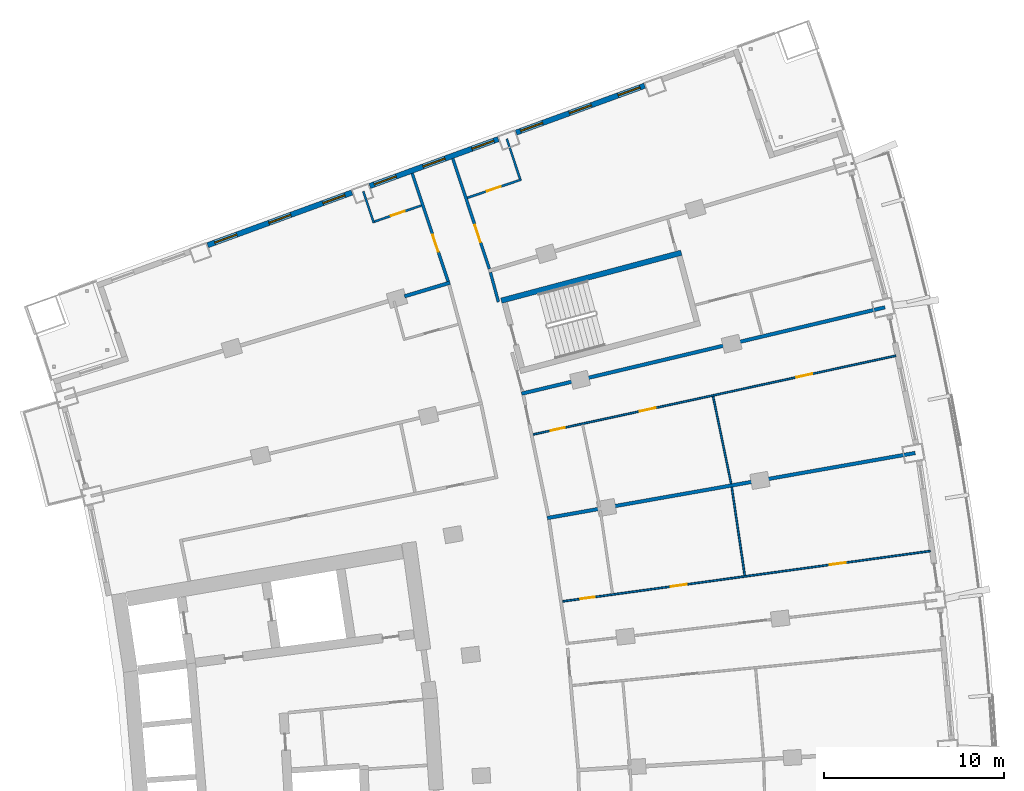
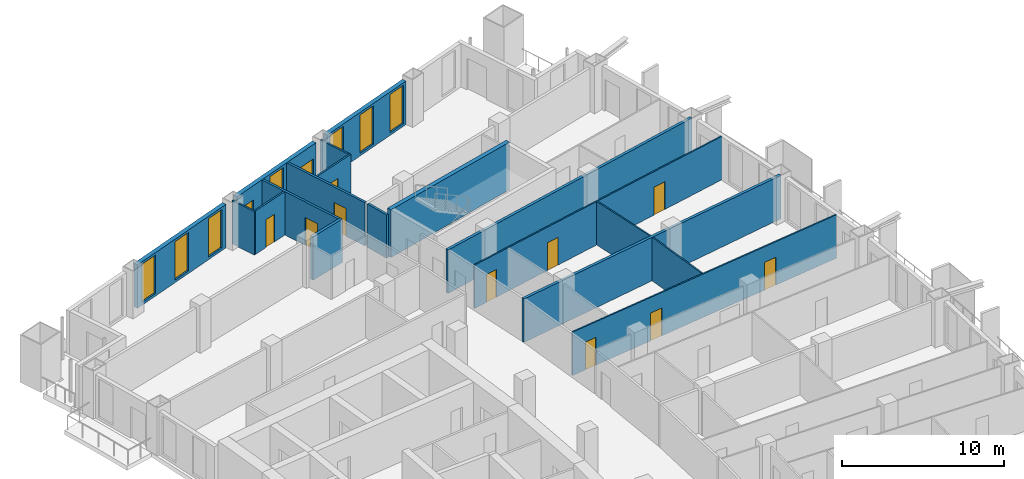
# One storey, part 20 of 25: 18 walls, 10 doors, 9 windows, 19 openings.
"""IFC4 building model written with IfcOpenShell, lengths in metres."""

from ifc_helpers import new_model, si_unit, direction, frame, frame_2d, origin, place, context, subcontext, project, spatial, rectangle, extrude, material, layer, layer_set, type_object, element, fill, save


model = new_model("IFC4")

# Units and contexts
model_context = context("Model", 3, precision=1e-05, world=origin(), true_north=direction((0.0, 1.0)))
body_context = subcontext(model_context, "Body", "Model", "MODEL_VIEW")
ifc_project = project(units=[si_unit("LENGTHUNIT", "METRE"), si_unit("AREAUNIT", "SQUARE_METRE"), si_unit("VOLUMEUNIT", "CUBIC_METRE"), si_unit("PLANEANGLEUNIT", "RADIAN"), si_unit("MASSUNIT", "GRAM", prefix="KILO")], contexts=[model_context])

# Site, building, storey
site_placement = place(None, origin())
site = spatial("IfcSite", under=ifc_project, at=site_placement, CompositionType="ELEMENT")
building_placement = place(site_placement, origin())
building = spatial("IfcBuilding", under=site, at=building_placement, Name="Alderwake Tower", CompositionType="ELEMENT")
storey_placement = place(building_placement, frame((0.0, 0.0, 86.0)))
storey = spatial("IfcBuildingStorey", under=building, at=storey_placement, Name="L20", CompositionType="ELEMENT", Elevation=86.0)

# Wall
ifc_material_1 = material(Name="Concrete C70/85", Category="concrete")
ifc_layer_1 = layer(ifc_material_1, 0.300048828125)
ifc_layer_set_1 = layer_set([ifc_layer_1], Name="Core wall stair enclosure 300 C70-85")
wall_type_1 = type_object("IfcWallType", Name="Core wall stair enclosure 300 C70-85", PredefinedType="SHEAR", material=ifc_layer_set_1)
wall_1_placement = place(storey_placement, frame((36.71142578125, 94.182373046875, 0.0), z_axis=(0.0, 0.0, 1.0), x_axis=(0.966309214305, 0.257383958996, 0.0)))
element("IfcWall", 1, at=wall_1_placement, inside=storey, type_object=wall_type_1, Name="Core wall CW.082", PredefinedType="SHEAR", context=body_context, shape_type="SweptSolid", body=[
    extrude(rectangle(XDim=10.360107421875, YDim=0.300048828125, at=frame_2d((5.18017578125, 0.0))), origin(), (0.0, 0.0, 1.0), 3.60009765625),
])

# Wall, opening, door
ifc_material_2 = material(Name="Gypsum board on metal studs, rated")
ifc_layer_2 = layer(ifc_material_2, 0.159912109375)
ifc_layer_set_2 = layer_set([ifc_layer_2], Name="Corridor wall 160")
wall_type_2 = type_object("IfcWallType", Name="Corridor wall 160", PredefinedType="PARTITIONING", material=ifc_layer_set_2)
wall_2_placement = place(storey_placement, frame((33.75146484375, 95.2548828125, 0.0), z_axis=(0.0, 0.0, 1.0), x_axis=(-0.315406156735, 0.948956772616, 0.0)))
wall_2 = element("IfcWall", 2, at=wall_2_placement, inside=storey, type_object=wall_type_2, Name="WL/L20/W20", PredefinedType="PARTITIONING", context=body_context, shape_type="SweptSolid", body=[
    extrude(rectangle(XDim=6.330078125, YDim=0.159912109375, at=frame_2d((3.1650390625, 0.0))), origin(), (0.0, 0.0, 1.0), 3.280029296875),
])
opening_1_placement = place(wall_2_placement, frame((1.737060546875, 0.0, 0.0)))
opening_1 = element("IfcOpeningElement", 3, at=opening_1_placement, cuts=wall_2, Name="Opening R05-U12.1", PredefinedType="OPENING", context=body_context, shape_type="SweptSolid", body=[
    extrude(rectangle(XDim=1.0, YDim=2.10009765625, at=frame_2d((0.5, 1.050048828125))), frame((0.0, 0.08984375, 0.0), z_axis=(0.0, -1.0, 0.0), x_axis=(1.0, 0.0, 0.0)), (0.0, 0.0, 1.0), 0.179931640625),
])
ifc_material_3 = material(Name="Solid timber leaf in steel frame", Category="steel")
door_type_1 = type_object("IfcDoorType", Name="Flat entrance door 1000 fire-rated", OperationType="SINGLE_SWING_LEFT", PredefinedType="DOOR", material=ifc_material_3)
door_1_placement = place(opening_1_placement, origin())
door_1 = element("IfcDoor", 4, at=door_1_placement, inside=storey, type_object=door_type_1, Name="DR/L20/U12.1", OperationType="SINGLE_SWING_LEFT", OverallHeight=2.10009765625, OverallWidth=1.0, PredefinedType="DOOR", context=body_context, shape_type="SweptSolid", body=[
    extrude(rectangle(XDim=1.0, YDim=2.10009765625, at=frame_2d((0.5, 1.050048828125))), frame((0.0, 0.02490234375, 0.0), z_axis=(0.0, -1.0, 0.0), x_axis=(1.0, 0.0, 0.0)), (0.0, 0.0, 1.0), 0.050048828125),
])
fill(opening_1, door_1)

wall_3_placement = place(storey_placement, frame((34.010986328125, 102.083984375, 0.0), z_axis=(0.0, 0.0, 1.0), x_axis=(0.315140606423, -0.949044992708, 0.0)))
wall_3 = element("IfcWall", 5, at=wall_3_placement, inside=storey, type_object=wall_type_2, Name="WL/L20/W27", PredefinedType="PARTITIONING", context=body_context, shape_type="SweptSolid", body=[
    extrude(rectangle(XDim=6.46875, YDim=0.159912109375, at=frame_2d((3.234375, 0.0))), origin(), (0.0, 0.0, 1.0), 3.280029296875),
])
opening_2_placement = place(wall_3_placement, frame((3.897705078125, 0.0, 0.0)))
opening_2 = element("IfcOpeningElement", 6, at=opening_2_placement, cuts=wall_3, Name="Opening R05-U04.1", PredefinedType="OPENING", context=body_context, shape_type="SweptSolid", body=[
    extrude(rectangle(XDim=1.0, YDim=2.10009765625, at=frame_2d((0.5, 1.050048828125))), frame((0.0, 0.08984375, 0.0), z_axis=(0.0, -1.0, 0.0), x_axis=(1.0, 0.0, 0.0)), (0.0, 0.0, 1.0), 0.179931640625),
])
door_2_placement = place(opening_2_placement, origin())
door_2 = element("IfcDoor", 7, at=door_2_placement, inside=storey, type_object=door_type_1, Name="DR/L20/U04.1", OperationType="SINGLE_SWING_LEFT", OverallHeight=2.10009765625, OverallWidth=1.0, PredefinedType="DOOR", context=body_context, shape_type="SweptSolid", body=[
    extrude(rectangle(XDim=1.0, YDim=2.10009765625, at=frame_2d((0.5, 1.050048828125))), frame((0.0, 0.02490234375, 0.0), z_axis=(0.0, -1.0, 0.0), x_axis=(1.0, 0.0, 0.0)), (0.0, 0.0, 1.0), 0.050048828125),
])
fill(opening_2, door_2)

# Wall
wall_4_placement = place(storey_placement, frame((36.549072265625, 94.110107421875, 0.0), z_axis=(0.0, 0.0, 1.0), x_axis=(-0.259813977097, 0.965658685719, 0.0)))
element("IfcWall", 8, at=wall_4_placement, inside=storey, type_object=wall_type_2, Name="WL/L20/W30", PredefinedType="PARTITIONING", context=body_context, shape_type="SweptSolid", body=[
    extrude(rectangle(XDim=1.70166015625, YDim=0.159912109375, at=frame_2d((0.850830078125, 0.0))), origin(), (0.0, 0.0, 1.0), 3.280029296875),
])

# Wall, openings, windows
ifc_material_4 = material(Name="Bronze metal cladding on lightweight framing")
ifc_layer_3 = layer(ifc_material_4, 0.300048828125)
ifc_layer_set_3 = layer_set([ifc_layer_3], Name="External wall EW2 bronze metal cladding")
wall_type_3 = type_object("IfcWallType", Name="External wall EW2 bronze metal cladding", PredefinedType="SOLIDWALL", material=ifc_layer_set_3)
wall_5_placement = place(storey_placement, frame((44.685546875, 106.14111328125, 0.0), z_axis=(0.0, 0.0, 1.0), x_axis=(-0.939373225656, -0.342896402606, 0.0)))
wall_5 = element("IfcWall", 9, at=wall_5_placement, inside=storey, type_object=wall_type_3, Name="External wall 26", PredefinedType="SOLIDWALL", context=body_context, shape_type="SweptSolid", body=[
    extrude(rectangle(XDim=7.612548828125, YDim=0.300048828125, at=frame_2d((3.80615234375, 0.0))), origin(), (0.0, 0.0, 1.0), 3.280029296875),
])
opening_3_placement = place(wall_5_placement, frame((0.267578125, 0.0, 0.199951171875)))
opening_3 = element("IfcOpeningElement", 10, at=opening_3_placement, cuts=wall_5, Name="Opening W1", PredefinedType="OPENING", context=body_context, shape_type="SweptSolid", body=[
    extrude(rectangle(XDim=1.300048828125, YDim=2.89990234375, at=frame_2d((0.64990234375, 1.449951171875))), frame((0.0, 0.159912109375, 0.0), z_axis=(0.0, -1.0, 0.0), x_axis=(1.0, 0.0, 0.0)), (0.0, 0.0, 1.0), 0.320068359375),
])
opening_4_placement = place(wall_5_placement, frame((3.156494140625, 0.0, 0.199951171875)))
opening_4 = element("IfcOpeningElement", 11, at=opening_4_placement, cuts=wall_5, Name="Opening W1", PredefinedType="OPENING", context=body_context, shape_type="SweptSolid", body=[
    extrude(rectangle(XDim=1.300048828125, YDim=2.89990234375, at=frame_2d((0.64990234375, 1.449951171875))), frame((0.0, 0.159912109375, 0.0), z_axis=(0.0, -1.0, 0.0), x_axis=(1.0, 0.0, 0.0)), (0.0, 0.0, 1.0), 0.320068359375),
])
opening_5_placement = place(wall_5_placement, frame((6.04541015625, 0.0, 0.199951171875)))
opening_5 = element("IfcOpeningElement", 12, at=opening_5_placement, cuts=wall_5, Name="Opening W1", PredefinedType="OPENING", context=body_context, shape_type="SweptSolid", body=[
    extrude(rectangle(XDim=1.300048828125, YDim=2.89990234375, at=frame_2d((0.64990234375, 1.449951171875))), frame((0.0, 0.159912109375, 0.0), z_axis=(0.0, -1.0, 0.0), x_axis=(1.0, 0.0, 0.0)), (0.0, 0.0, 1.0), 0.320068359375),
])
ifc_material_5 = material(Name="Bronze tinted glass in aluminium frame", Category="aluminium")
window_type_1 = type_object("IfcWindowType", Name="Window W1 tall fixed and vent", PartitioningType="DOUBLE_PANEL_VERTICAL", PredefinedType="WINDOW", material=ifc_material_5)
window_1_placement = place(opening_3_placement, origin())
window_1 = element("IfcWindow", 13, at=window_1_placement, inside=storey, type_object=window_type_1, Name="Window W1 tall fixed and vent", OverallHeight=2.89990234375, OverallWidth=1.300048828125, PartitioningType="DOUBLE_PANEL_VERTICAL", PredefinedType="WINDOW", context=body_context, shape_type="SweptSolid", body=[
    extrude(rectangle(XDim=1.300048828125, YDim=2.89990234375, at=frame_2d((0.64990234375, 1.449951171875))), frame((0.0, 0.030029296875, 0.0), z_axis=(0.0, -1.0, 0.0), x_axis=(1.0, 0.0, 0.0)), (0.0, 0.0, 1.0), 0.06005859375),
])
fill(opening_3, window_1)
window_2_placement = place(opening_4_placement, origin())
window_2 = element("IfcWindow", 14, at=window_2_placement, inside=storey, type_object=window_type_1, Name="Window W1 tall fixed and vent", OverallHeight=2.89990234375, OverallWidth=1.300048828125, PartitioningType="DOUBLE_PANEL_VERTICAL", PredefinedType="WINDOW", context=body_context, shape_type="SweptSolid", body=[
    extrude(rectangle(XDim=1.300048828125, YDim=2.89990234375, at=frame_2d((0.64990234375, 1.449951171875))), frame((0.0, 0.030029296875, 0.0), z_axis=(0.0, -1.0, 0.0), x_axis=(1.0, 0.0, 0.0)), (0.0, 0.0, 1.0), 0.06005859375),
])
fill(opening_4, window_2)
window_3_placement = place(opening_5_placement, origin())
window_3 = element("IfcWindow", 15, at=window_3_placement, inside=storey, type_object=window_type_1, Name="Window W1 tall fixed and vent", OverallHeight=2.89990234375, OverallWidth=1.300048828125, PartitioningType="DOUBLE_PANEL_VERTICAL", PredefinedType="WINDOW", context=body_context, shape_type="SweptSolid", body=[
    extrude(rectangle(XDim=1.300048828125, YDim=2.89990234375, at=frame_2d((0.64990234375, 1.449951171875))), frame((0.0, 0.030029296875, 0.0), z_axis=(0.0, -1.0, 0.0), x_axis=(1.0, 0.0, 0.0)), (0.0, 0.0, 1.0), 0.06005859375),
])
fill(opening_5, window_3)

wall_6_placement = place(storey_placement, frame((36.544189453125, 103.169189453125, 0.0), z_axis=(0.0, 0.0, 1.0), x_axis=(-0.939383555457, -0.342868102536, 0.0)))
wall_6 = element("IfcWall", 16, at=wall_6_placement, inside=storey, type_object=wall_type_3, Name="External wall 27", PredefinedType="SOLIDWALL", context=body_context, shape_type="SweptSolid", body=[
    extrude(rectangle(XDim=7.612548828125, YDim=0.300048828125, at=frame_2d((3.80615234375, 0.0))), origin(), (0.0, 0.0, 1.0), 3.280029296875),
])
opening_6_placement = place(wall_6_placement, frame((0.267333984375, 0.0, 1.0)))
opening_6 = element("IfcOpeningElement", 17, at=opening_6_placement, cuts=wall_6, Name="Opening W2", PredefinedType="OPENING", context=body_context, shape_type="SweptSolid", body=[
    extrude(rectangle(XDim=1.300048828125, YDim=1.199951171875, at=frame_2d((0.64990234375, 0.60009765625))), frame((0.0, 0.159912109375, 0.0), z_axis=(0.0, -1.0, 0.0), x_axis=(1.0, 0.0, 0.0)), (0.0, 0.0, 1.0), 0.320068359375),
])
opening_7_placement = place(wall_6_placement, frame((3.156494140625, 0.0, 0.199951171875)))
opening_7 = element("IfcOpeningElement", 18, at=opening_7_placement, cuts=wall_6, Name="Opening W1", PredefinedType="OPENING", context=body_context, shape_type="SweptSolid", body=[
    extrude(rectangle(XDim=1.300048828125, YDim=2.89990234375, at=frame_2d((0.64990234375, 1.449951171875))), frame((0.0, 0.159912109375, 0.0), z_axis=(0.0, -1.0, 0.0), x_axis=(1.0, 0.0, 0.0)), (0.0, 0.0, 1.0), 0.320068359375),
])
opening_8_placement = place(wall_6_placement, frame((6.04541015625, 0.0, 1.0)))
opening_8 = element("IfcOpeningElement", 19, at=opening_8_placement, cuts=wall_6, Name="Opening W2", PredefinedType="OPENING", context=body_context, shape_type="SweptSolid", body=[
    extrude(rectangle(XDim=1.300048828125, YDim=1.199951171875, at=frame_2d((0.64990234375, 0.60009765625))), frame((0.0, 0.159912109375, 0.0), z_axis=(0.0, -1.0, 0.0), x_axis=(1.0, 0.0, 0.0)), (0.0, 0.0, 1.0), 0.320068359375),
])
window_4_placement = place(opening_7_placement, origin())
window_4 = element("IfcWindow", 20, at=window_4_placement, inside=storey, type_object=window_type_1, Name="Window W1 tall fixed and vent", OverallHeight=2.89990234375, OverallWidth=1.300048828125, PartitioningType="DOUBLE_PANEL_VERTICAL", PredefinedType="WINDOW", context=body_context, shape_type="SweptSolid", body=[
    extrude(rectangle(XDim=1.300048828125, YDim=2.89990234375, at=frame_2d((0.64990234375, 1.449951171875))), frame((0.0, 0.030029296875, 0.0), z_axis=(0.0, -1.0, 0.0), x_axis=(1.0, 0.0, 0.0)), (0.0, 0.0, 1.0), 0.06005859375),
])
fill(opening_7, window_4)
ifc_material_6 = material(Name="Bronze tinted glass in aluminium frame", Category="aluminium")
window_type_2 = type_object("IfcWindowType", Name="Window W2 kitchen and bath", PartitioningType="SINGLE_PANEL", PredefinedType="WINDOW", material=ifc_material_6)
window_5_placement = place(opening_6_placement, origin())
window_5 = element("IfcWindow", 21, at=window_5_placement, inside=storey, type_object=window_type_2, Name="Window W2 kitchen and bath", OverallHeight=1.199951171875, OverallWidth=1.300048828125, PartitioningType="SINGLE_PANEL", PredefinedType="WINDOW", context=body_context, shape_type="SweptSolid", body=[
    extrude(rectangle(XDim=1.300048828125, YDim=1.199951171875, at=frame_2d((0.64990234375, 0.60009765625))), frame((0.0, 0.030029296875, 0.0), z_axis=(0.0, -1.0, 0.0), x_axis=(1.0, 0.0, 0.0)), (0.0, 0.0, 1.0), 0.06005859375),
])
fill(opening_6, window_5)
window_6_placement = place(opening_8_placement, origin())
window_6 = element("IfcWindow", 22, at=window_6_placement, inside=storey, type_object=window_type_2, Name="Window W2 kitchen and bath", OverallHeight=1.199951171875, OverallWidth=1.300048828125, PartitioningType="SINGLE_PANEL", PredefinedType="WINDOW", context=body_context, shape_type="SweptSolid", body=[
    extrude(rectangle(XDim=1.300048828125, YDim=1.199951171875, at=frame_2d((0.64990234375, 0.60009765625))), frame((0.0, 0.030029296875, 0.0), z_axis=(0.0, -1.0, 0.0), x_axis=(1.0, 0.0, 0.0)), (0.0, 0.0, 1.0), 0.06005859375),
])
fill(opening_8, window_6)

wall_7_placement = place(storey_placement, frame((28.402587890625, 100.197509765625, 0.0), z_axis=(0.0, 0.0, 1.0), x_axis=(-0.939364770023, -0.342919566137, 0.0)))
wall_7 = element("IfcWall", 23, at=wall_7_placement, inside=storey, type_object=wall_type_3, Name="External wall 28", PredefinedType="SOLIDWALL", context=body_context, shape_type="SweptSolid", body=[
    extrude(rectangle(XDim=8.54541015625, YDim=0.300048828125, at=frame_2d((4.272705078125, 0.0))), origin(), (0.0, 0.0, 1.0), 3.280029296875),
])
opening_9_placement = place(wall_7_placement, frame((0.4228515625, 0.0, 0.199951171875)))
opening_9 = element("IfcOpeningElement", 24, at=opening_9_placement, cuts=wall_7, Name="Opening W1", PredefinedType="OPENING", context=body_context, shape_type="SweptSolid", body=[
    extrude(rectangle(XDim=1.300048828125, YDim=2.89990234375, at=frame_2d((0.64990234375, 1.449951171875))), frame((0.0, 0.159912109375, 0.0), z_axis=(0.0, -1.0, 0.0), x_axis=(1.0, 0.0, 0.0)), (0.0, 0.0, 1.0), 0.320068359375),
])
opening_10_placement = place(wall_7_placement, frame((3.622802734375, 0.0, 0.199951171875)))
opening_10 = element("IfcOpeningElement", 25, at=opening_10_placement, cuts=wall_7, Name="Opening W1", PredefinedType="OPENING", context=body_context, shape_type="SweptSolid", body=[
    extrude(rectangle(XDim=1.300048828125, YDim=2.89990234375, at=frame_2d((0.64990234375, 1.449951171875))), frame((0.0, 0.159912109375, 0.0), z_axis=(0.0, -1.0, 0.0), x_axis=(1.0, 0.0, 0.0)), (0.0, 0.0, 1.0), 0.320068359375),
])
opening_11_placement = place(wall_7_placement, frame((6.822998046875, 0.0, 0.199951171875)))
opening_11 = element("IfcOpeningElement", 26, at=opening_11_placement, cuts=wall_7, Name="Opening W1", PredefinedType="OPENING", context=body_context, shape_type="SweptSolid", body=[
    extrude(rectangle(XDim=1.300048828125, YDim=2.89990234375, at=frame_2d((0.64990234375, 1.449951171875))), frame((0.0, 0.159912109375, 0.0), z_axis=(0.0, -1.0, 0.0), x_axis=(1.0, 0.0, 0.0)), (0.0, 0.0, 1.0), 0.320068359375),
])
window_7_placement = place(opening_9_placement, origin())
window_7 = element("IfcWindow", 27, at=window_7_placement, inside=storey, type_object=window_type_1, Name="Window W1 tall fixed and vent", OverallHeight=2.89990234375, OverallWidth=1.300048828125, PartitioningType="DOUBLE_PANEL_VERTICAL", PredefinedType="WINDOW", context=body_context, shape_type="SweptSolid", body=[
    extrude(rectangle(XDim=1.300048828125, YDim=2.89990234375, at=frame_2d((0.64990234375, 1.449951171875))), frame((0.0, 0.030029296875, 0.0), z_axis=(0.0, -1.0, 0.0), x_axis=(1.0, 0.0, 0.0)), (0.0, 0.0, 1.0), 0.06005859375),
])
fill(opening_9, window_7)
window_8_placement = place(opening_10_placement, origin())
window_8 = element("IfcWindow", 28, at=window_8_placement, inside=storey, type_object=window_type_1, Name="Window W1 tall fixed and vent", OverallHeight=2.89990234375, OverallWidth=1.300048828125, PartitioningType="DOUBLE_PANEL_VERTICAL", PredefinedType="WINDOW", context=body_context, shape_type="SweptSolid", body=[
    extrude(rectangle(XDim=1.300048828125, YDim=2.89990234375, at=frame_2d((0.64990234375, 1.449951171875))), frame((0.0, 0.030029296875, 0.0), z_axis=(0.0, -1.0, 0.0), x_axis=(1.0, 0.0, 0.0)), (0.0, 0.0, 1.0), 0.06005859375),
])
fill(opening_10, window_8)
window_9_placement = place(opening_11_placement, origin())
window_9 = element("IfcWindow", 29, at=window_9_placement, inside=storey, type_object=window_type_1, Name="Window W1 tall fixed and vent", OverallHeight=2.89990234375, OverallWidth=1.300048828125, PartitioningType="DOUBLE_PANEL_VERTICAL", PredefinedType="WINDOW", context=body_context, shape_type="SweptSolid", body=[
    extrude(rectangle(XDim=1.300048828125, YDim=2.89990234375, at=frame_2d((0.64990234375, 1.449951171875))), frame((0.0, 0.030029296875, 0.0), z_axis=(0.0, -1.0, 0.0), x_axis=(1.0, 0.0, 0.0)), (0.0, 0.0, 1.0), 0.06005859375),
])
fill(opening_11, window_9)

# Walls
ifc_material_7 = material(Name="Dense block masonry wall", Category="masonry")
ifc_layer_4 = layer(ifc_material_7, 0.199951171875)
ifc_layer_set_4 = layer_set([ifc_layer_4], Name="Party wall 200")
wall_type_4 = type_object("IfcWallType", Name="Party wall 200", PredefinedType="SOLIDWALL", material=ifc_layer_set_4)
wall_8_placement = place(storey_placement, frame((33.859619140625, 95.18310546875, 0.0), z_axis=(0.0, 0.0, 1.0), x_axis=(-0.957762803886, -0.287559405153, 0.0)))
element("IfcWall", 30, at=wall_8_placement, inside=storey, type_object=wall_type_4, Name="WL/L20/W04", PredefinedType="SOLIDWALL", context=body_context, shape_type="SweptSolid", body=[
    extrude(rectangle(XDim=2.647216796875, YDim=0.199951171875, at=frame_2d((1.32373046875, 0.0))), origin(), (0.0, 0.0, 1.0), 3.280029296875),
])
wall_9_placement = place(storey_placement, frame((37.839111328125, 89.006591796875, 0.0), z_axis=(0.0, 0.0, 1.0), x_axis=(0.972915151152, 0.231162515686, 0.0)))
element("IfcWall", 31, at=wall_9_placement, inside=storey, type_object=wall_type_4, Name="WL/L20/W07", PredefinedType="SOLIDWALL", context=body_context, shape_type="SweptSolid", body=[
    extrude(rectangle(XDim=20.779541015625, YDim=0.199951171875, at=frame_2d((10.3896484375, 0.0))), origin(), (0.0, 0.0, 1.0), 3.280029296875),
])
wall_10_placement = place(storey_placement, frame((59.73291015625, 85.70703125, 0.0), z_axis=(0.0, 0.0, 1.0), x_axis=(-0.984712278079, -0.174188775183, 0.0)))
element("IfcWall", 32, at=wall_10_placement, inside=storey, type_object=wall_type_4, Name="WL/L20/W09", PredefinedType="SOLIDWALL", context=body_context, shape_type="SweptSolid", body=[
    extrude(rectangle(XDim=20.78125, YDim=0.199951171875, at=frame_2d((10.390625, 0.0))), origin(), (0.0, 0.0, 1.0), 3.280029296875),
])

# Wall, openings, doors
ifc_material_8 = material(Name="Gypsum board on metal studs")
ifc_layer_5 = layer(ifc_material_8, 0.10009765625)
ifc_layer_set_5 = layer_set([ifc_layer_5], Name="Unit partition 100")
wall_type_5 = type_object("IfcWallType", Name="Unit partition 100", PredefinedType="PARTITIONING", material=ifc_layer_set_5)
wall_11_placement = place(storey_placement, frame((58.662109375, 91.118896484375, 0.0), z_axis=(0.0, 0.0, 1.0), x_axis=(-0.977229871325, -0.212183360777, 0.0)))
wall_11 = element("IfcWall", 33, at=wall_11_placement, inside=storey, type_object=wall_type_5, Name="WL/L20/W66", PredefinedType="PARTITIONING", context=body_context, shape_type="SweptSolid", body=[
    extrude(rectangle(XDim=20.660400390625, YDim=0.10009765625, at=frame_2d((10.330078125, 0.0))), origin(), (0.0, 0.0, 1.0), 3.280029296875),
])
opening_12_placement = place(wall_11_placement, frame((13.6796875, 0.0, 0.0)))
opening_12 = element("IfcOpeningElement", 34, at=opening_12_placement, cuts=wall_11, Name="Opening R05-U08.1", PredefinedType="OPENING", context=body_context, shape_type="SweptSolid", body=[
    extrude(rectangle(XDim=0.89990234375, YDim=2.10009765625, at=frame_2d((0.449951171875, 1.050048828125))), frame((0.0, 0.06005859375, 0.0), z_axis=(0.0, -1.0, 0.0), x_axis=(1.0, 0.0, 0.0)), (0.0, 0.0, 1.0), 0.1201171875),
])
opening_13_placement = place(wall_11_placement, frame((18.851318359375, 0.0, 0.0)))
opening_13 = element("IfcOpeningElement", 35, at=opening_13_placement, cuts=wall_11, Name="Opening R05-U08.3", PredefinedType="OPENING", context=body_context, shape_type="SweptSolid", body=[
    extrude(rectangle(XDim=0.800048828125, YDim=2.10009765625, at=frame_2d((0.39990234375, 1.050048828125))), frame((0.0, 0.06005859375, 0.0), z_axis=(0.0, -1.0, 0.0), x_axis=(1.0, 0.0, 0.0)), (0.0, 0.0, 1.0), 0.1201171875),
])
opening_14_placement = place(wall_11_placement, frame((4.758544921875, 0.0, 0.0)))
opening_14 = element("IfcOpeningElement", 36, at=opening_14_placement, cuts=wall_11, Name="Opening R05-U08.4", PredefinedType="OPENING", context=body_context, shape_type="SweptSolid", body=[
    extrude(rectangle(XDim=0.89990234375, YDim=2.10009765625, at=frame_2d((0.449951171875, 1.050048828125))), frame((0.0, 0.06005859375, 0.0), z_axis=(0.0, -1.0, 0.0), x_axis=(1.0, 0.0, 0.0)), (0.0, 0.0, 1.0), 0.1201171875),
])
ifc_material_9 = material(Name="Painted timber leaf", Category="wood")
door_type_2 = type_object("IfcDoorType", Name="Bathroom door 800", OperationType="SINGLE_SWING_LEFT", PredefinedType="DOOR", material=ifc_material_9)
door_3_placement = place(opening_13_placement, origin())
door_3 = element("IfcDoor", 37, at=door_3_placement, inside=storey, type_object=door_type_2, Name="DR/L20/U08.3", OperationType="SINGLE_SWING_LEFT", OverallHeight=2.10009765625, OverallWidth=0.800048828125, PredefinedType="DOOR", context=body_context, shape_type="SweptSolid", body=[
    extrude(rectangle(XDim=0.800048828125, YDim=2.10009765625, at=frame_2d((0.39990234375, 1.050048828125))), frame((0.0, 0.02490234375, 0.0), z_axis=(0.0, -1.0, 0.0), x_axis=(1.0, 0.0, 0.0)), (0.0, 0.0, 1.0), 0.050048828125),
])
fill(opening_13, door_3)
ifc_material_10 = material(Name="Painted timber leaf", Category="wood")
door_type_3 = type_object("IfcDoorType", Name="Room door 900", OperationType="SINGLE_SWING_LEFT", PredefinedType="DOOR", material=ifc_material_10)
door_4_placement = place(opening_12_placement, origin())
door_4 = element("IfcDoor", 38, at=door_4_placement, inside=storey, type_object=door_type_3, Name="DR/L20/U08.1", OperationType="SINGLE_SWING_LEFT", OverallHeight=2.10009765625, OverallWidth=0.89990234375, PredefinedType="DOOR", context=body_context, shape_type="SweptSolid", body=[
    extrude(rectangle(XDim=0.89990234375, YDim=2.10009765625, at=frame_2d((0.449951171875, 1.050048828125))), frame((0.0, 0.02490234375, 0.0), z_axis=(0.0, -1.0, 0.0), x_axis=(1.0, 0.0, 0.0)), (0.0, 0.0, 1.0), 0.050048828125),
])
fill(opening_12, door_4)
door_5_placement = place(opening_14_placement, origin())
door_5 = element("IfcDoor", 39, at=door_5_placement, inside=storey, type_object=door_type_3, Name="DR/L20/U08.4", OperationType="SINGLE_SWING_LEFT", OverallHeight=2.10009765625, OverallWidth=0.89990234375, PredefinedType="DOOR", context=body_context, shape_type="SweptSolid", body=[
    extrude(rectangle(XDim=0.89990234375, YDim=2.10009765625, at=frame_2d((0.449951171875, 1.050048828125))), frame((0.0, 0.02490234375, 0.0), z_axis=(0.0, -1.0, 0.0), x_axis=(1.0, 0.0, 0.0)), (0.0, 0.0, 1.0), 0.050048828125),
])
fill(opening_14, door_5)

wall_12_placement = place(storey_placement, frame((40.1142578125, 77.449951171875, 0.0), z_axis=(0.0, 0.0, 1.0), x_axis=(0.990755381379, 0.135660511087, 0.0)))
wall_12 = element("IfcWall", 40, at=wall_12_placement, inside=storey, type_object=wall_type_5, Name="WL/L20/W69", PredefinedType="PARTITIONING", context=body_context, shape_type="SweptSolid", body=[
    extrude(rectangle(XDim=20.66162109375, YDim=0.10009765625, at=frame_2d((10.330810546875, 0.0))), origin(), (0.0, 0.0, 1.0), 3.280029296875),
])
opening_15_placement = place(wall_12_placement, frame((6.080078125, 0.0, 0.0)))
opening_15 = element("IfcOpeningElement", 41, at=opening_15_placement, cuts=wall_12, Name="Opening R05-U07.5", PredefinedType="OPENING", context=body_context, shape_type="SweptSolid", body=[
    extrude(rectangle(XDim=0.89990234375, YDim=2.10009765625, at=frame_2d((0.449951171875, 1.050048828125))), frame((0.0, 0.06005859375, 0.0), z_axis=(0.0, -1.0, 0.0), x_axis=(1.0, 0.0, 0.0)), (0.0, 0.0, 1.0), 0.1201171875),
])
opening_16_placement = place(wall_12_placement, frame((1.0087890625, 0.0, 0.0)))
opening_16 = element("IfcOpeningElement", 42, at=opening_16_placement, cuts=wall_12, Name="Opening R05-U07.6", PredefinedType="OPENING", context=body_context, shape_type="SweptSolid", body=[
    extrude(rectangle(XDim=0.800048828125, YDim=2.10009765625, at=frame_2d((0.39990234375, 1.050048828125))), frame((0.0, 0.06005859375, 0.0), z_axis=(0.0, -1.0, 0.0), x_axis=(1.0, 0.0, 0.0)), (0.0, 0.0, 1.0), 0.1201171875),
])
opening_17_placement = place(wall_12_placement, frame((15.001953125, 0.0, 0.0)))
opening_17 = element("IfcOpeningElement", 43, at=opening_17_placement, cuts=wall_12, Name="Opening R05-U07.7", PredefinedType="OPENING", context=body_context, shape_type="SweptSolid", body=[
    extrude(rectangle(XDim=0.89990234375, YDim=2.10009765625, at=frame_2d((0.449951171875, 1.050048828125))), frame((0.0, 0.06005859375, 0.0), z_axis=(0.0, -1.0, 0.0), x_axis=(1.0, 0.0, 0.0)), (0.0, 0.0, 1.0), 0.1201171875),
])
door_6_placement = place(opening_16_placement, origin())
door_6 = element("IfcDoor", 44, at=door_6_placement, inside=storey, type_object=door_type_2, Name="DR/L20/U07.6", OperationType="SINGLE_SWING_LEFT", OverallHeight=2.10009765625, OverallWidth=0.800048828125, PredefinedType="DOOR", context=body_context, shape_type="SweptSolid", body=[
    extrude(rectangle(XDim=0.800048828125, YDim=2.10009765625, at=frame_2d((0.39990234375, 1.050048828125))), frame((0.0, 0.02490234375, 0.0), z_axis=(0.0, -1.0, 0.0), x_axis=(1.0, 0.0, 0.0)), (0.0, 0.0, 1.0), 0.050048828125),
])
fill(opening_16, door_6)
door_7_placement = place(opening_15_placement, origin())
door_7 = element("IfcDoor", 45, at=door_7_placement, inside=storey, type_object=door_type_3, Name="DR/L20/U07.5", OperationType="SINGLE_SWING_LEFT", OverallHeight=2.10009765625, OverallWidth=0.89990234375, PredefinedType="DOOR", context=body_context, shape_type="SweptSolid", body=[
    extrude(rectangle(XDim=0.89990234375, YDim=2.10009765625, at=frame_2d((0.449951171875, 1.050048828125))), frame((0.0, 0.02490234375, 0.0), z_axis=(0.0, -1.0, 0.0), x_axis=(1.0, 0.0, 0.0)), (0.0, 0.0, 1.0), 0.050048828125),
])
fill(opening_15, door_7)
door_8_placement = place(opening_17_placement, origin())
door_8 = element("IfcDoor", 46, at=door_8_placement, inside=storey, type_object=door_type_3, Name="DR/L20/U07.7", OperationType="SINGLE_SWING_LEFT", OverallHeight=2.10009765625, OverallWidth=0.89990234375, PredefinedType="DOOR", context=body_context, shape_type="SweptSolid", body=[
    extrude(rectangle(XDim=0.89990234375, YDim=2.10009765625, at=frame_2d((0.449951171875, 1.050048828125))), frame((0.0, 0.02490234375, 0.0), z_axis=(0.0, -1.0, 0.0), x_axis=(1.0, 0.0, 0.0)), (0.0, 0.0, 1.0), 0.050048828125),
])
fill(opening_17, door_8)

# Walls
wall_13_placement = place(storey_placement, frame((49.497802734375, 83.9990234375, 0.0), z_axis=(0.0, 0.0, 1.0), x_axis=(-0.202441296839, 0.979294399726, 0.0)))
element("IfcWall", 47, at=wall_13_placement, inside=storey, type_object=wall_type_5, Name="WL/L20/W77", PredefinedType="PARTITIONING", context=body_context, shape_type="SweptSolid", body=[
    extrude(rectangle(XDim=4.962646484375, YDim=0.10009765625, at=frame_2d((2.4814453125, 0.0))), origin(), (0.0, 0.0, 1.0), 3.280029296875),
])
wall_14_placement = place(storey_placement, frame((50.254638671875, 78.889404296875, 0.0), z_axis=(0.0, 0.0, 1.0), x_axis=(-0.145392071717, 0.989374118057, 0.0)))
element("IfcWall", 48, at=wall_14_placement, inside=storey, type_object=wall_type_5, Name="WL/L20/W79", PredefinedType="PARTITIONING", context=body_context, shape_type="SweptSolid", body=[
    extrude(rectangle(XDim=4.96533203125, YDim=0.10009765625, at=frame_2d((2.482666015625, 0.0))), origin(), (0.0, 0.0, 1.0), 3.280029296875),
])
ifc_material_11 = material(Name="Moisture resistant gypsum board on metal studs")
ifc_layer_6 = layer(ifc_material_11, 0.1201171875)
ifc_layer_set_6 = layer_set([ifc_layer_6], Name="Wet room partition 120")
wall_type_6 = type_object("IfcWallType", Name="Wet room partition 120", PredefinedType="PARTITIONING", material=ifc_layer_set_6)
wall_15_placement = place(storey_placement, frame((29.031005859375, 100.26611328125, 0.0), z_axis=(0.0, 0.0, 1.0), x_axis=(0.315714683416, -0.948854171449, 0.0)))
element("IfcWall", 49, at=wall_15_placement, inside=storey, type_object=wall_type_6, Name="WL/L20/W43", PredefinedType="PARTITIONING", context=body_context, shape_type="SweptSolid", body=[
    extrude(rectangle(XDim=1.85595703125, YDim=0.1201171875, at=frame_2d((0.927978515625, 0.0))), origin(), (0.0, 0.0, 1.0), 3.280029296875),
])

# Wall, opening, door
wall_16_placement = place(storey_placement, frame((29.65478515625, 98.581298828125, 0.0), z_axis=(0.0, 0.0, 1.0), x_axis=(0.946049080569, 0.324023358964, 0.0)))
wall_16 = element("IfcWall", 50, at=wall_16_placement, inside=storey, type_object=wall_type_6, Name="WL/L20/W45", PredefinedType="PARTITIONING", context=body_context, shape_type="SweptSolid", body=[
    extrude(rectangle(XDim=2.758544921875, YDim=0.1201171875, at=frame_2d((1.37939453125, 0.0))), origin(), (0.0, 0.0, 1.0), 3.280029296875),
])
opening_18_placement = place(wall_16_placement, frame((0.979248046875, 0.0, 0.0)))
opening_18 = element("IfcOpeningElement", 51, at=opening_18_placement, cuts=wall_16, Name="Opening R05-U12.2", PredefinedType="OPENING", context=body_context, shape_type="SweptSolid", body=[
    extrude(rectangle(XDim=0.800048828125, YDim=2.10009765625, at=frame_2d((0.39990234375, 1.050048828125))), frame((0.0, 0.070068359375, 0.0), z_axis=(0.0, -1.0, 0.0), x_axis=(1.0, 0.0, 0.0)), (0.0, 0.0, 1.0), 0.14013671875),
])
door_9_placement = place(opening_18_placement, origin())
door_9 = element("IfcDoor", 52, at=door_9_placement, inside=storey, type_object=door_type_2, Name="DR/L20/U12.2", OperationType="SINGLE_SWING_LEFT", OverallHeight=2.10009765625, OverallWidth=0.800048828125, PredefinedType="DOOR", context=body_context, shape_type="SweptSolid", body=[
    extrude(rectangle(XDim=0.800048828125, YDim=2.10009765625, at=frame_2d((0.39990234375, 1.050048828125))), frame((0.0, 0.02490234375, 0.0), z_axis=(0.0, -1.0, 0.0), x_axis=(1.0, 0.0, 0.0)), (0.0, 0.0, 1.0), 0.050048828125),
])
fill(opening_18, door_9)

wall_17_placement = place(storey_placement, frame((34.81884765625, 99.901611328125, 0.0), z_axis=(0.0, 0.0, 1.0), x_axis=(0.947175058373, 0.320717022928, 0.0)))
wall_17 = element("IfcWall", 53, at=wall_17_placement, inside=storey, type_object=wall_type_6, Name="WL/L20/W50", PredefinedType="PARTITIONING", context=body_context, shape_type="SweptSolid", body=[
    extrude(rectangle(XDim=3.178955078125, YDim=0.1201171875, at=frame_2d((1.58935546875, 0.0))), origin(), (0.0, 0.0, 1.0), 3.280029296875),
])
opening_19_placement = place(wall_17_placement, frame((1.15966796875, 0.0, 0.0)))
opening_19 = element("IfcOpeningElement", 54, at=opening_19_placement, cuts=wall_17, Name="Opening R05-U04.2", PredefinedType="OPENING", context=body_context, shape_type="SweptSolid", body=[
    extrude(rectangle(XDim=0.800048828125, YDim=2.10009765625, at=frame_2d((0.39990234375, 1.050048828125))), frame((0.0, 0.070068359375, 0.0), z_axis=(0.0, -1.0, 0.0), x_axis=(1.0, 0.0, 0.0)), (0.0, 0.0, 1.0), 0.14013671875),
])
door_10_placement = place(opening_19_placement, origin())
door_10 = element("IfcDoor", 55, at=door_10_placement, inside=storey, type_object=door_type_2, Name="DR/L20/U04.2", OperationType="SINGLE_SWING_LEFT", OverallHeight=2.10009765625, OverallWidth=0.800048828125, PredefinedType="DOOR", context=body_context, shape_type="SweptSolid", body=[
    extrude(rectangle(XDim=0.800048828125, YDim=2.10009765625, at=frame_2d((0.39990234375, 1.050048828125))), frame((0.0, 0.02490234375, 0.0), z_axis=(0.0, -1.0, 0.0), x_axis=(1.0, 0.0, 0.0)), (0.0, 0.0, 1.0), 0.050048828125),
])
fill(opening_19, door_10)

# Wall
wall_18_placement = place(storey_placement, frame((37.754150390625, 100.958984375, 0.0), z_axis=(0.0, 0.0, 1.0), x_axis=(-0.314726191852, 0.949182503085, 0.0)))
element("IfcWall", 56, at=wall_18_placement, inside=storey, type_object=wall_type_6, Name="WL/L20/W53", PredefinedType="PARTITIONING", context=body_context, shape_type="SweptSolid", body=[
    extrude(rectangle(XDim=2.341796875, YDim=0.1201171875, at=frame_2d((1.1708984375, 0.0))), origin(), (0.0, 0.0, 1.0), 3.280029296875),
])

save(model, "model.ifc")
